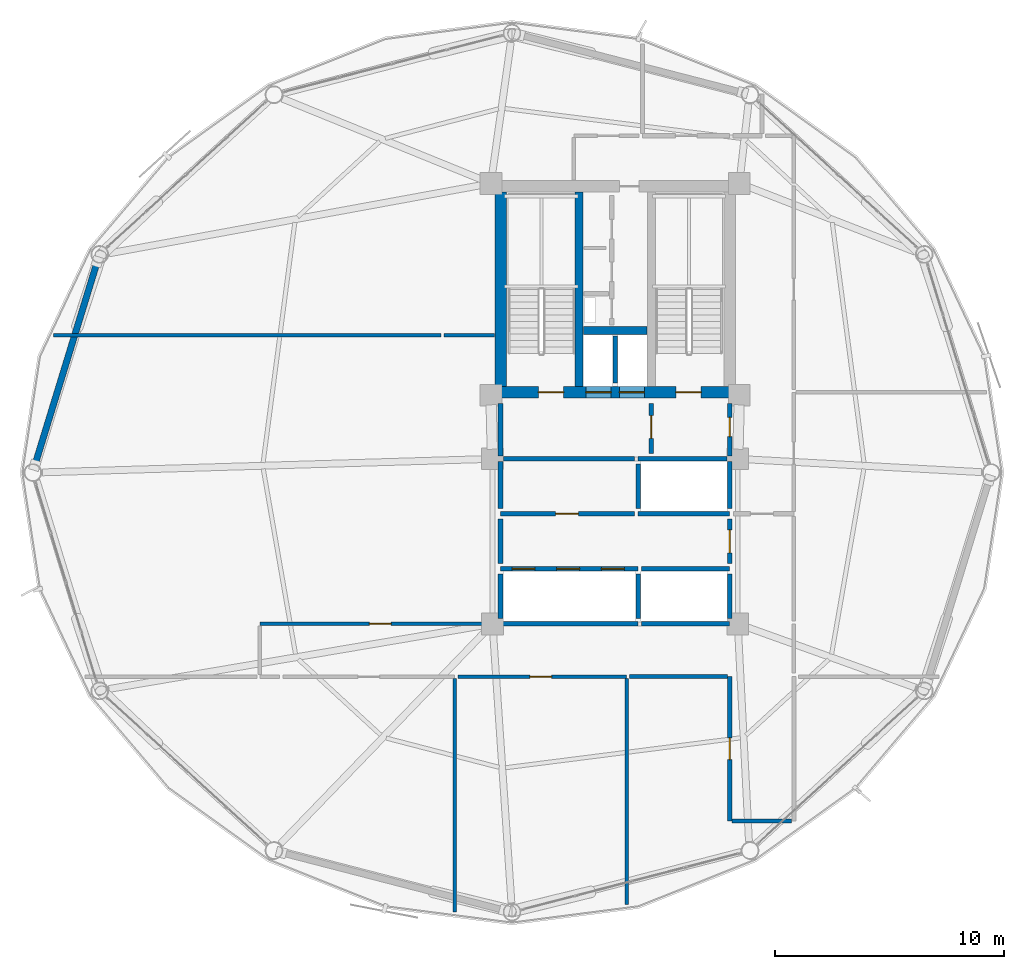
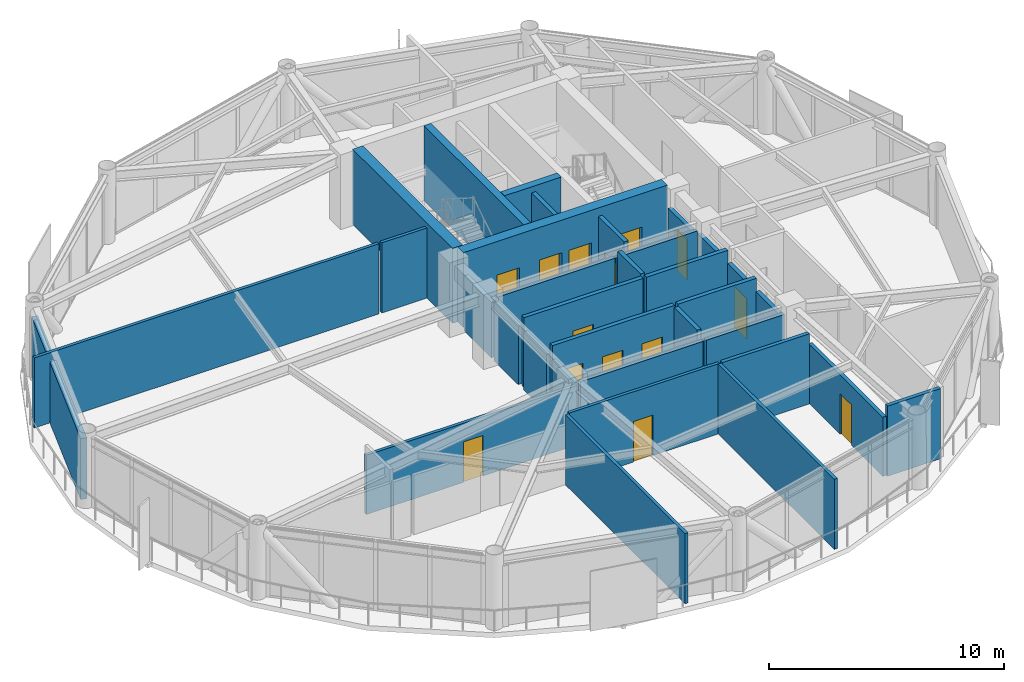
# One storey, part 22 of 27: 34 walls, 14 doors, 14 openings.
"""IFC4 building model written with IfcOpenShell, lengths in metres."""

import ifcopenshell
import ifcopenshell.guid

model = None  # the IFC model being written
_history = None  # IfcOwnerHistory: only IFC2X3 demands one
_inside = {}  # id of a spatial element -> (the spatial element, [elements in it])
_under = {}  # id of a project, library or spatial element -> (it, [spatial elements below it])
_declared = {}  # id of a project -> (the project, [libraries it declares])
_typed = {}  # id of a type object -> (the type object, [elements of that type])
_made_of = {}  # id of a material, layer set ... -> (it, [elements and type objects made of it])


def new_model(schema):
    """Start an empty IFC model of exactly this schema.

    Asked for "IFC4X3", IfcOpenShell would pick the latest addendum, in which some entities
    have other attributes; the version numbers below select the first issue.
    IFC2X3 requires an IfcOwnerHistory on every rooted entity: one is made here for all.
    """
    global model, _history
    if schema == "IFC4X3":
        model = ifcopenshell.file(schema_version=(4, 3, 0, 0))
    else:
        model = ifcopenshell.file(schema=schema)
    _inside.clear()
    _under.clear()
    _declared.clear()
    _typed.clear()
    _made_of.clear()
    _history = None
    if model.schema == "IFC2X3":
        org = make("IfcOrganization", Name="unknown")
        user = make(
            "IfcPersonAndOrganization",
            ThePerson=make("IfcPerson", FamilyName="unknown"),
            TheOrganization=org,
        )
        app = make(
            "IfcApplication",
            ApplicationDeveloper=org,
            Version="unknown",
            ApplicationFullName="unknown",
            ApplicationIdentifier="unknown",
        )
        _history = make(
            "IfcOwnerHistory",
            OwningUser=user,
            OwningApplication=app,
            ChangeAction="ADDED",
            CreationDate=0,
        )
    return model


def make(cls, **values):
    """One entity of the class cls with the attributes given. An attribute that is None is left unset."""
    return model.create_entity(
        cls, **{name: value for name, value in values.items() if value is not None}
    )


def rooted(cls, **values):
    """An entity with a GlobalId (a new one), such as an element, a storey or a relation."""
    return make(cls, GlobalId=ifcopenshell.guid.new(), OwnerHistory=_history, **values)


def si_unit(unit_type, name, prefix=None):
    """IfcSIUnit, for example si_unit("LENGTHUNIT", "METRE", prefix="MILLI")."""
    return make("IfcSIUnit", UnitType=unit_type, Prefix=prefix, Name=name)


def assignment(units):
    """IfcUnitAssignment: the units of a project."""
    return None if units is None else make("IfcUnitAssignment", Units=units)


def point(xyz):
    """IfcCartesianPoint."""
    return None if xyz is None else make("IfcCartesianPoint", Coordinates=xyz)


def direction(xyz):
    """IfcDirection."""
    return None if xyz is None else make("IfcDirection", DirectionRatios=xyz)


def frame(location, z_axis=None, x_axis=None):
    """IfcAxis2Placement3D, a coordinate frame: its origin and axes. An axis left out is left unset."""
    return make(
        "IfcAxis2Placement3D",
        Location=point(location),
        Axis=direction(z_axis),
        RefDirection=direction(x_axis),
    )


def frame_2d(location, x_axis=None):
    """IfcAxis2Placement2D, a coordinate frame in the plane: its origin and x axis."""
    return make(
        "IfcAxis2Placement2D", Location=point(location), RefDirection=direction(x_axis)
    )


def origin():
    """The frame at (0, 0, 0) with its axes left unset."""
    return frame((0.0, 0.0, 0.0))


def place(relative_to, where):
    """IfcLocalPlacement: puts the frame where relative to a parent placement (None: the world)."""
    return make(
        "IfcLocalPlacement", PlacementRelTo=relative_to, RelativePlacement=where
    )


def context(
    kind, dimensions, precision=None, world=None, true_north=None, identifier=None
):
    """IfcGeometricRepresentationContext, for example the 3D "Model" context."""
    return make(
        "IfcGeometricRepresentationContext",
        ContextIdentifier=identifier,
        ContextType=kind,
        CoordinateSpaceDimension=dimensions,
        Precision=precision,
        WorldCoordinateSystem=world,
        TrueNorth=true_north,
    )


def subcontext(parent, identifier, kind, view, scale=None):
    """IfcGeometricRepresentationSubContext, for example "Body" below "Model"."""
    return make(
        "IfcGeometricRepresentationSubContext",
        ContextIdentifier=identifier,
        ContextType=kind,
        ParentContext=parent,
        TargetScale=scale,
        TargetView=view,
    )


def project(units=None, contexts=None):
    """IfcProject with its units and contexts."""
    return rooted(
        "IfcProject",
        Name="project",
        RepresentationContexts=contexts,
        UnitsInContext=assignment(units),
    )


def spatial(cls, under=None, at=None, **own):
    """A site, building, storey or space (cls), placed at a placement, below another one or the project."""
    s = rooted(cls, ObjectPlacement=at, **own)
    if under is not None:
        _under.setdefault(under.id(), (under, []))[1].append(s)
    return s


def profile(cls, at=None, kind="AREA", **sizes):
    """A parametric profile (cls). Its sizes go by their IFC names, for example OverallWidth=200.0."""
    return make(cls, ProfileType=kind, Position=at, **sizes)


def rectangle(**sizes):
    """IfcRectangleProfileDef."""
    return profile("IfcRectangleProfileDef", **sizes)


def extrude(swept, where, along, depth):
    """IfcExtrudedAreaSolid: the profile swept, set in the frame where, extruded along a direction by depth."""
    return make(
        "IfcExtrudedAreaSolid",
        SweptArea=swept,
        Position=where,
        ExtrudedDirection=direction(along),
        Depth=depth,
    )


def shape(context_of_items, identifier, shape_type, items):
    """IfcShapeRepresentation: the items that make up one representation, for example the "Body"."""
    return make(
        "IfcShapeRepresentation",
        ContextOfItems=context_of_items,
        RepresentationIdentifier=identifier,
        RepresentationType=shape_type,
        Items=items,
    )


def material(Name=None, Category=None):
    """IfcMaterial."""
    return make("IfcMaterial", Name=Name, Category=Category)


def layer(
    of_material, thickness, ventilated=None, Name=None, Category=None, Priority=None
):
    """IfcMaterialLayer: one layer of a wall or slab, of a material (None: an air gap)."""
    return make(
        "IfcMaterialLayer",
        Material=of_material,
        LayerThickness=thickness,
        IsVentilated=ventilated,
        Name=Name,
        Category=Category,
        Priority=Priority,
    )


def layer_set(layers, Name=None):
    """IfcMaterialLayerSet."""
    return make("IfcMaterialLayerSet", MaterialLayers=layers, LayerSetName=Name)


def made_of(thing, what):
    """Note that an element or type object is made of a material, layer set ...; save() writes the relation."""
    if what is not None:
        _made_of.setdefault(what.id(), (what, []))[1].append(thing)
    return thing


def type_object(cls, material=None, **own):
    """A type object (cls), such as IfcWallType, which elements share."""
    return made_of(rooted(cls, **own), material)


def element(
    cls,
    number,
    at=None,
    inside=None,
    cuts=None,
    type_object=None,
    material=None,
    context=None,
    identifier="Body",
    shape_type=None,
    held_by="IfcProductDefinitionShape",
    body=None,
    shapes=None,
    **own,
):
    """One element of the class cls, such as IfcWall. Its Tag is "e" and its number.

    at: its placement. inside: the storey or other place that contains it. cuts: it is an
    opening in that element (IfcRelVoidsElement). A single representation is given by context,
    identifier, shape_type and body (its items); several are given by shapes. held_by: the class
    of the entity that holds the representations. save() writes the other relations.
    """
    e = rooted(cls, Tag="e%d" % number, ObjectPlacement=at, **own)
    if body is not None:
        shapes = [shape(context, identifier, shape_type, body)]
    if shapes is not None:
        e.Representation = make(held_by, Representations=shapes)
    if inside is not None:
        _inside.setdefault(inside.id(), (inside, []))[1].append(e)
    if cuts is not None:
        rooted(
            "IfcRelVoidsElement", RelatingBuildingElement=cuts, RelatedOpeningElement=e
        )
    if type_object is not None:
        _typed.setdefault(type_object.id(), (type_object, []))[1].append(e)
    return made_of(e, material)


def fill(opening, filler):
    """IfcRelFillsElement: the door or window that sits in an opening."""
    return rooted(
        "IfcRelFillsElement",
        RelatingOpeningElement=opening,
        RelatedBuildingElement=filler,
    )


def aggregate(whole, parts):
    """IfcRelAggregates: a whole, such as a stair, and the parts it consists of."""
    return rooted("IfcRelAggregates", RelatingObject=whole, RelatedObjects=parts)


def save(model, path):
    """Write the relations noted so far, then the file.

    IfcRelAggregates (storeys below a building ...), IfcRelContainedInSpatialStructure (elements
    in a storey), IfcRelDefinesByType, IfcRelAssociatesMaterial and IfcRelDeclares: one each for
    every whole, place, type object, material and project.
    """
    for whole, parts in _under.values():
        aggregate(whole, parts)
    for where, things in _inside.values():
        rooted(
            "IfcRelContainedInSpatialStructure",
            RelatedElements=things,
            RelatingStructure=where,
        )
    for kind, things in _typed.values():
        rooted("IfcRelDefinesByType", RelatedObjects=things, RelatingType=kind)
    for what, things in _made_of.values():
        rooted("IfcRelAssociatesMaterial", RelatedObjects=things, RelatingMaterial=what)
    for by, libraries in _declared.values():
        rooted("IfcRelDeclares", RelatingContext=by, RelatedDefinitions=libraries)
    model.write(path)


model = new_model("IFC4")

# Units and contexts
model_context = context("Model", 3, precision=1e-05, world=origin(), true_north=direction((0.0, 1.0)))
body_context = subcontext(model_context, "Body", "Model", "MODEL_VIEW")
ifc_project = project(units=[si_unit("LENGTHUNIT", "METRE"), si_unit("AREAUNIT", "SQUARE_METRE"), si_unit("VOLUMEUNIT", "CUBIC_METRE"), si_unit("PLANEANGLEUNIT", "RADIAN"), si_unit("MASSUNIT", "GRAM", prefix="KILO")], contexts=[model_context])

# Site, building, storey
site_placement = place(None, origin())
site = spatial("IfcSite", under=ifc_project, at=site_placement, CompositionType="ELEMENT")
building_placement = place(site_placement, origin())
building = spatial("IfcBuilding", under=site, at=building_placement, Name="Varnakorn Sky Granary", CompositionType="ELEMENT")
storey_placement = place(building_placement, frame((0.0, 0.0, 142.199951171875)))
storey = spatial("IfcBuildingStorey", under=building, at=storey_placement, Name="L35", CompositionType="ELEMENT", Elevation=142.199951171875)

# Walls
ifc_material_1 = material(Name="Concrete C50/60", Category="concrete")
ifc_layer_1 = layer(ifc_material_1, 0.35009765625, Name="Concrete C50/60")
ifc_layer_set_1 = layer_set([ifc_layer_1], Name="Concrete C50/60")
wall_type_1 = type_object("IfcWallType", Name="WT-CW-INT-350", PredefinedType="SHEAR", material=ifc_layer_set_1)
wall_1_placement = place(storey_placement, frame((1.419921875, 3.760009765625, 0.0), z_axis=(0.0, 0.0, 1.0), x_axis=(0.0, 1.0, 0.0)))
element("IfcWall", 1, at=wall_1_placement, inside=storey, type_object=wall_type_1, Name="Stair ST-1 Core Wall L35", PredefinedType="SHEAR", context=body_context, shape_type="SweptSolid", body=[
    extrude(rectangle(XDim=8.47998046875, YDim=0.35009765625, at=frame_2d((4.239990234375, 0.0))), origin(), (0.0, 0.0, 1.0), 3.89208984375),
])
wall_2_placement = place(storey_placement, frame((1.610107421875, 6.199951171875, 0.0), z_axis=(0.0, 0.0, 1.0), x_axis=(1.0, 0.0, 0.0)))
element("IfcWall", 2, at=wall_2_placement, inside=storey, type_object=wall_type_1, Name="Core Lift Shaft Cross Wall L35", PredefinedType="SHEAR", context=body_context, shape_type="SweptSolid", body=[
    extrude(rectangle(XDim=2.77978515625, YDim=0.35009765625, at=frame_2d((1.389892578125, 0.0))), origin(), (0.0, 0.0, 1.0), 3.89208984375),
])

# Wall, openings, doors
ifc_material_2 = material(Name="Concrete C60/75", Category="concrete")
ifc_layer_2 = layer(ifc_material_2, 0.5, Name="Concrete C60/75")
ifc_layer_set_2 = layer_set([ifc_layer_2], Name="Concrete C60/75")
wall_type_2 = type_object("IfcWallType", Name="WT-CW-SHEAR-500", PredefinedType="SHEAR", material=ifc_layer_set_2)
wall_3_placement = place(storey_placement, frame((-2.0, 3.5, 0.0), z_axis=(0.0, 0.0, 1.0), x_axis=(1.0, 0.0, 0.0)))
wall_3 = element("IfcWall", 3, at=wall_3_placement, inside=storey, type_object=wall_type_2, Name="Core South Shear Wall L35", PredefinedType="SHEAR", context=body_context, shape_type="SweptSolid", body=[
    extrude(rectangle(XDim=10.0, YDim=0.5, at=frame_2d((5.0, 0.0))), origin(), (0.0, 0.0, 1.0), 3.89208984375),
])
opening_1_placement = place(wall_3_placement, frame((1.64990234375, 0.0, 0.0)))
opening_1 = element("IfcOpeningElement", 4, at=opening_1_placement, cuts=wall_3, Name="Opening FD-90", PredefinedType="OPENING", context=body_context, shape_type="SweptSolid", body=[
    extrude(rectangle(XDim=1.10009765625, YDim=2.14990234375, at=frame_2d((0.550048828125, 1.074951171875))), frame((0.0, 0.260009765625, 0.0), z_axis=(0.0, -1.0, 0.0), x_axis=(1.0, 0.0, 0.0)), (0.0, 0.0, 1.0), 0.52001953125),
])
opening_2_placement = place(wall_3_placement, frame((7.64990234375, 0.0, 0.0)))
opening_2 = element("IfcOpeningElement", 5, at=opening_2_placement, cuts=wall_3, Name="Opening FD-90", PredefinedType="OPENING", context=body_context, shape_type="SweptSolid", body=[
    extrude(rectangle(XDim=1.10009765625, YDim=2.14990234375, at=frame_2d((0.550048828125, 1.074951171875))), frame((0.0, 0.260009765625, 0.0), z_axis=(0.0, -1.0, 0.0), x_axis=(1.0, 0.0, 0.0)), (0.0, 0.0, 1.0), 0.52001953125),
])
opening_3_placement = place(wall_3_placement, frame((3.719970703125, 0.0, 0.0)))
opening_3 = element("IfcOpeningElement", 6, at=opening_3_placement, cuts=wall_3, Name="Opening LD-01", PredefinedType="OPENING", context=body_context, shape_type="SweptSolid", body=[
    extrude(rectangle(XDim=1.10009765625, YDim=2.199951171875, at=frame_2d((0.550048828125, 1.10009765625))), frame((0.0, 0.260009765625, 0.0), z_axis=(0.0, -1.0, 0.0), x_axis=(1.0, 0.0, 0.0)), (0.0, 0.0, 1.0), 0.52001953125),
])
opening_4_placement = place(wall_3_placement, frame((5.179931640625, 0.0, 0.0)))
opening_4 = element("IfcOpeningElement", 7, at=opening_4_placement, cuts=wall_3, Name="Opening LD-01", PredefinedType="OPENING", context=body_context, shape_type="SweptSolid", body=[
    extrude(rectangle(XDim=1.10009765625, YDim=2.199951171875, at=frame_2d((0.550048828125, 1.10009765625))), frame((0.0, 0.260009765625, 0.0), z_axis=(0.0, -1.0, 0.0), x_axis=(1.0, 0.0, 0.0)), (0.0, 0.0, 1.0), 0.52001953125),
])
ifc_material_3 = material(Name="Brushed Bronze Stainless Steel", Category="steel")
door_type_1 = type_object("IfcDoorType", Name="DR-LD-1100", OperationType="DOUBLE_DOOR_SLIDING", PredefinedType="DOOR", material=ifc_material_3)
door_1_placement = place(opening_3_placement, origin())
door_1 = element("IfcDoor", 8, at=door_1_placement, inside=storey, type_object=door_type_1, Name="Firefighting Lift FFL-1 Landing Door L35", OperationType="DOUBLE_DOOR_SLIDING", OverallHeight=2.199951171875, OverallWidth=1.10009765625, PredefinedType="DOOR", context=body_context, shape_type="SweptSolid", body=[
    extrude(rectangle(XDim=1.10009765625, YDim=2.199951171875, at=frame_2d((0.550048828125, 1.10009765625))), frame((0.0, 0.02490234375, 0.0), z_axis=(0.0, -1.0, 0.0), x_axis=(1.0, 0.0, 0.0)), (0.0, 0.0, 1.0), 0.050048828125),
])
fill(opening_3, door_1)
door_2_placement = place(opening_4_placement, origin())
door_2 = element("IfcDoor", 9, at=door_2_placement, inside=storey, type_object=door_type_1, Name="Firefighting Lift FFL-2 Landing Door L35", OperationType="DOUBLE_DOOR_SLIDING", OverallHeight=2.199951171875, OverallWidth=1.10009765625, PredefinedType="DOOR", context=body_context, shape_type="SweptSolid", body=[
    extrude(rectangle(XDim=1.10009765625, YDim=2.199951171875, at=frame_2d((0.550048828125, 1.10009765625))), frame((0.0, 0.02490234375, 0.0), z_axis=(0.0, -1.0, 0.0), x_axis=(1.0, 0.0, 0.0)), (0.0, 0.0, 1.0), 0.050048828125),
])
fill(opening_4, door_2)
ifc_material_4 = material(Name="Galvanised Painted Steel Leaf", Category="steel")
door_type_2 = type_object("IfcDoorType", Name="DR-STAIR-1100", OperationType="NOTDEFINED", PredefinedType="DOOR", material=ifc_material_4)
door_3_placement = place(opening_1_placement, origin())
door_3 = element("IfcDoor", 10, at=door_3_placement, inside=storey, type_object=door_type_2, Name="Stair ST-1 Protected Fire Door L35", OperationType="SINGLE_SWING_LEFT", OverallHeight=2.14990234375, OverallWidth=1.10009765625, PredefinedType="DOOR", context=body_context, shape_type="SweptSolid", body=[
    extrude(rectangle(XDim=1.10009765625, YDim=2.14990234375, at=frame_2d((0.550048828125, 1.074951171875))), frame((0.0, 0.02490234375, 0.0), z_axis=(0.0, -1.0, 0.0), x_axis=(1.0, 0.0, 0.0)), (0.0, 0.0, 1.0), 0.050048828125),
])
fill(opening_1, door_3)
door_4_placement = place(opening_2_placement, origin())
door_4 = element("IfcDoor", 11, at=door_4_placement, inside=storey, type_object=door_type_2, Name="Stair ST-2 Protected Fire Door L35", OperationType="SINGLE_SWING_RIGHT", OverallHeight=2.14990234375, OverallWidth=1.10009765625, PredefinedType="DOOR", context=body_context, shape_type="SweptSolid", body=[
    extrude(rectangle(XDim=1.10009765625, YDim=2.14990234375, at=frame_2d((0.550048828125, 1.074951171875))), frame((0.0, 0.02490234375, 0.0), z_axis=(0.0, -1.0, 0.0), x_axis=(1.0, 0.0, 0.0)), (0.0, 0.0, 1.0), 0.050048828125),
])
fill(opening_2, door_4)

# Walls
wall_4_placement = place(storey_placement, frame((-2.0, 3.760009765625, 0.0), z_axis=(0.0, 0.0, 1.0), x_axis=(0.0, 1.0, 0.0)))
element("IfcWall", 12, at=wall_4_placement, inside=storey, type_object=wall_type_2, Name="Core West Shear Wall L35", PredefinedType="SHEAR", context=body_context, shape_type="SweptSolid", body=[
    extrude(rectangle(XDim=8.47998046875, YDim=0.5, at=frame_2d((4.239990234375, 0.0))), origin(), (0.0, 0.0, 1.0), 3.89208984375),
])
ifc_material_5 = material(Name="Precast concrete C40/50", Category="concrete")
ifc_layer_3 = layer(ifc_material_5, 0.280029296875, Name="Precast concrete C40/50")
ifc_layer_set_3 = layer_set([ifc_layer_3], Name="Precast concrete C40/50")
wall_type_3 = type_object("IfcWallType", Name="WT-EW-CRN-280", PredefinedType="SOLIDWALL", material=ifc_layer_set_3)
wall_5_placement = place(storey_placement, frame((-22.318603515625, 0.3212890625, 0.0), z_axis=(0.0, 0.0, 1.0), x_axis=(0.293064398185, 0.956092703934, 0.0)))
element("IfcWall", 13, at=wall_5_placement, inside=storey, type_object=wall_type_3, Name="Agritech Insulated Precast Facade Wall L35-P06", PredefinedType="SOLIDWALL", context=body_context, shape_type="SweptSolid", body=[
    extrude(rectangle(XDim=9.28955078125, YDim=0.280029296875, at=frame_2d((4.644775390625, 0.0))), origin(), (0.0, 0.0, 1.0), 3.16015625),
])

# Wall, opening, door
ifc_material_6 = material(Name="Autoclaved Aerated Concrete Blockwork", Category="masonry")
ifc_layer_4 = layer(ifc_material_6, 0.199951171875, Name="Autoclaved Aerated Concrete Blockwork")
ifc_layer_set_4 = layer_set([ifc_layer_4], Name="Autoclaved Aerated Concrete Blockwork")
wall_type_4 = type_object("IfcWallType", Name="WT-FIRE-200", PredefinedType="MOVABLE", material=ifc_layer_set_4)
wall_6_placement = place(storey_placement, frame((4.580078125, 0.830078125, 0.0), z_axis=(0.0, 0.0, 1.0), x_axis=(0.0, 1.0, 0.0)))
wall_6 = element("IfcWall", 14, at=wall_6_placement, inside=storey, type_object=wall_type_4, Name="Interior Partition Wall L35-015", PredefinedType="MOVABLE", context=body_context, shape_type="SweptSolid", body=[
    extrude(rectangle(XDim=2.18994140625, YDim=0.199951171875, at=frame_2d((1.094970703125, 0.0))), origin(), (0.0, 0.0, 1.0), 3.64013671875),
])
opening_5_placement = place(wall_6_placement, frame((0.659912109375, 0.0, 0.0)))
opening_5 = element("IfcOpeningElement", 15, at=opening_5_placement, cuts=wall_6, Name="Opening FD-60", PredefinedType="OPENING", context=body_context, shape_type="SweptSolid", body=[
    extrude(rectangle(XDim=1.0, YDim=2.10009765625, at=frame_2d((0.5, 1.050048828125))), frame((0.0, 0.10986328125, 0.0), z_axis=(0.0, -1.0, 0.0), x_axis=(1.0, 0.0, 0.0)), (0.0, 0.0, 1.0), 0.219970703125),
])
ifc_material_7 = material(Name="Acoustic Timber Fire Leaf", Category="wood")
door_type_3 = type_object("IfcDoorType", Name="DR-FD60-1000", OperationType="NOTDEFINED", PredefinedType="DOOR", material=ifc_material_7)
door_5_placement = place(opening_5_placement, origin())
door_5 = element("IfcDoor", 16, at=door_5_placement, inside=storey, type_object=door_type_3, Name="Interior Door L35-015-1", OperationType="SINGLE_SWING_RIGHT", OverallHeight=2.10009765625, OverallWidth=1.0, PredefinedType="DOOR", context=body_context, shape_type="SweptSolid", body=[
    extrude(rectangle(XDim=1.0, YDim=2.10009765625, at=frame_2d((0.5, 1.050048828125))), frame((0.0, 0.02490234375, 0.0), z_axis=(0.0, -1.0, 0.0), x_axis=(1.0, 0.0, 0.0)), (0.0, 0.0, 1.0), 0.050048828125),
])
fill(opening_5, door_5)

wall_7_placement = place(storey_placement, frame((8.0, 0.719970703125, 0.0), z_axis=(0.0, 0.0, 1.0), x_axis=(0.0, 1.0, 0.0)))
wall_7 = element("IfcWall", 17, at=wall_7_placement, inside=storey, type_object=wall_type_4, Name="Interior Partition Wall L35-016", PredefinedType="MOVABLE", context=body_context, shape_type="SweptSolid", body=[
    extrude(rectangle(XDim=2.300048828125, YDim=0.199951171875, at=frame_2d((1.14990234375, 0.0))), origin(), (0.0, 0.0, 1.0), 2.8720703125),
])
opening_6_placement = place(wall_7_placement, frame((0.844970703125, 0.0, 0.0)))
opening_6 = element("IfcOpeningElement", 18, at=opening_6_placement, cuts=wall_7, Name="Opening FD-60N", PredefinedType="OPENING", context=body_context, shape_type="SweptSolid", body=[
    extrude(rectangle(XDim=0.85009765625, YDim=2.10009765625, at=frame_2d((0.425048828125, 1.050048828125))), frame((0.0, 0.10986328125, 0.0), z_axis=(0.0, -1.0, 0.0), x_axis=(1.0, 0.0, 0.0)), (0.0, 0.0, 1.0), 0.219970703125),
])
door_type_4 = type_object("IfcDoorType", Name="DR-FD60-850", OperationType="NOTDEFINED", PredefinedType="DOOR", material=ifc_material_7)
door_6_placement = place(opening_6_placement, origin())
door_6 = element("IfcDoor", 19, at=door_6_placement, inside=storey, type_object=door_type_4, Name="Interior Door L35-016-1", OperationType="SINGLE_SWING_LEFT", OverallHeight=2.10009765625, OverallWidth=0.85009765625, PredefinedType="DOOR", context=body_context, shape_type="SweptSolid", body=[
    extrude(rectangle(XDim=0.85009765625, YDim=2.10009765625, at=frame_2d((0.425048828125, 1.050048828125))), frame((0.0, 0.02490234375, 0.0), z_axis=(0.0, -1.0, 0.0), x_axis=(1.0, 0.0, 0.0)), (0.0, 0.0, 1.0), 0.050048828125),
])
fill(opening_6, door_6)

wall_8_placement = place(storey_placement, frame((8.0, -3.969970703125, 0.0), z_axis=(0.0, 0.0, 1.0), x_axis=(0.0, 1.0, 0.0)))
wall_8 = element("IfcWall", 20, at=wall_8_placement, inside=storey, type_object=wall_type_4, Name="Interior Partition Wall L35-017", PredefinedType="MOVABLE", context=body_context, shape_type="SweptSolid", body=[
    extrude(rectangle(XDim=1.93994140625, YDim=0.199951171875, at=frame_2d((0.969970703125, 0.0))), origin(), (0.0, 0.0, 1.0), 3.072021484375),
])
opening_7_placement = place(wall_8_placement, frame((0.469970703125, 0.0, 0.0)))
opening_7 = element("IfcOpeningElement", 21, at=opening_7_placement, cuts=wall_8, Name="Opening FD-60", PredefinedType="OPENING", context=body_context, shape_type="SweptSolid", body=[
    extrude(rectangle(XDim=1.0, YDim=2.10009765625, at=frame_2d((0.5, 1.050048828125))), frame((0.0, 0.10986328125, 0.0), z_axis=(0.0, -1.0, 0.0), x_axis=(1.0, 0.0, 0.0)), (0.0, 0.0, 1.0), 0.219970703125),
])
door_7_placement = place(opening_7_placement, origin())
door_7 = element("IfcDoor", 22, at=door_7_placement, inside=storey, type_object=door_type_3, Name="Interior Door L35-017-1", OperationType="SINGLE_SWING_RIGHT", OverallHeight=2.10009765625, OverallWidth=1.0, PredefinedType="DOOR", context=body_context, shape_type="SweptSolid", body=[
    extrude(rectangle(XDim=1.0, YDim=2.10009765625, at=frame_2d((0.5, 1.050048828125))), frame((0.0, 0.02490234375, 0.0), z_axis=(0.0, -1.0, 0.0), x_axis=(1.0, 0.0, 0.0)), (0.0, 0.0, 1.0), 0.050048828125),
])
fill(opening_7, door_7)

wall_9_placement = place(storey_placement, frame((-2.0, -1.800048828125, 0.0), z_axis=(0.0, 0.0, 1.0), x_axis=(1.0, 0.0, 0.0)))
wall_9 = element("IfcWall", 23, at=wall_9_placement, inside=storey, type_object=wall_type_4, Name="Interior Partition Wall L35-018", PredefinedType="MOVABLE", context=body_context, shape_type="SweptSolid", body=[
    extrude(rectangle(XDim=5.840087890625, YDim=0.199951171875, at=frame_2d((2.919921875, 0.0))), origin(), (0.0, 0.0, 1.0), 3.64013671875),
])
opening_8_placement = place(wall_9_placement, frame((2.39990234375, 0.0, 0.0)))
opening_8 = element("IfcOpeningElement", 24, at=opening_8_placement, cuts=wall_9, Name="Opening FD-60", PredefinedType="OPENING", context=body_context, shape_type="SweptSolid", body=[
    extrude(rectangle(XDim=1.0, YDim=2.10009765625, at=frame_2d((0.5, 1.050048828125))), frame((0.0, 0.10986328125, 0.0), z_axis=(0.0, -1.0, 0.0), x_axis=(1.0, 0.0, 0.0)), (0.0, 0.0, 1.0), 0.219970703125),
])
door_8_placement = place(opening_8_placement, origin())
door_8 = element("IfcDoor", 25, at=door_8_placement, inside=storey, type_object=door_type_3, Name="Interior Door L35-018-1", OperationType="SINGLE_SWING_LEFT", OverallHeight=2.10009765625, OverallWidth=1.0, PredefinedType="DOOR", context=body_context, shape_type="SweptSolid", body=[
    extrude(rectangle(XDim=1.0, YDim=2.10009765625, at=frame_2d((0.5, 1.050048828125))), frame((0.0, 0.02490234375, 0.0), z_axis=(0.0, -1.0, 0.0), x_axis=(1.0, 0.0, 0.0)), (0.0, 0.0, 1.0), 0.050048828125),
])
fill(opening_8, door_8)

# Walls
wall_10_placement = place(storey_placement, frame((-1.8798828125, 0.60009765625, 0.0), z_axis=(0.0, 0.0, 1.0), x_axis=(1.0, 0.0, 0.0)))
element("IfcWall", 26, at=wall_10_placement, inside=storey, type_object=wall_type_4, Name="Interior Partition Wall L35-029", PredefinedType="MOVABLE", context=body_context, shape_type="SweptSolid", body=[
    extrude(rectangle(XDim=5.719970703125, YDim=0.199951171875, at=frame_2d((2.85986328125, 0.0))), origin(), (0.0, 0.0, 1.0), 3.22216796875),
])
wall_11_placement = place(storey_placement, frame((-2.0, 0.719970703125, 0.0), z_axis=(0.0, 0.0, 1.0), x_axis=(0.0, 1.0, 0.0)))
element("IfcWall", 27, at=wall_11_placement, inside=storey, type_object=wall_type_4, Name="Interior Partition Wall L35-030", PredefinedType="MOVABLE", context=body_context, shape_type="SweptSolid", body=[
    extrude(rectangle(XDim=2.300048828125, YDim=0.199951171875, at=frame_2d((1.14990234375, 0.0))), origin(), (0.0, 0.0, 1.0), 2.8720703125),
])
wall_12_placement = place(storey_placement, frame((-2.0, -3.969970703125, 0.0), z_axis=(0.0, 0.0, 1.0), x_axis=(0.0, 1.0, 0.0)))
element("IfcWall", 28, at=wall_12_placement, inside=storey, type_object=wall_type_4, Name="Interior Partition Wall L35-031", PredefinedType="MOVABLE", context=body_context, shape_type="SweptSolid", body=[
    extrude(rectangle(XDim=1.93994140625, YDim=0.199951171875, at=frame_2d((0.969970703125, 0.0))), origin(), (0.0, 0.0, 1.0), 3.02197265625),
])
wall_13_placement = place(storey_placement, frame((-2.0, -1.570068359375, 0.0), z_axis=(0.0, 0.0, 1.0), x_axis=(0.0, 1.0, 0.0)))
element("IfcWall", 29, at=wall_13_placement, inside=storey, type_object=wall_type_4, Name="Interior Partition Wall L35-032", PredefinedType="MOVABLE", context=body_context, shape_type="SweptSolid", body=[
    extrude(rectangle(XDim=2.050048828125, YDim=0.199951171875, at=frame_2d((1.02490234375, 0.0))), origin(), (0.0, 0.0, 1.0), 3.02197265625),
])

# Wall, opening, door
ifc_material_8 = material(Name="Gypsum Plasterboard on Steel Stud", Category="steel")
ifc_layer_5 = layer(ifc_material_8, 0.14990234375, Name="Gypsum Plasterboard on Steel Stud")
ifc_layer_set_5 = layer_set([ifc_layer_5], Name="Gypsum Plasterboard on Steel Stud")
wall_type_5 = type_object("IfcWallType", Name="WT-PART-150", PredefinedType="PARTITIONING", material=ifc_layer_set_5)
wall_14_placement = place(storey_placement, frame((-3.864990234375, -8.89990234375, 0.0), z_axis=(0.0, 0.0, 1.0), x_axis=(1.0, 0.0, 0.0)))
wall_14 = element("IfcWall", 30, at=wall_14_placement, inside=storey, type_object=wall_type_5, Name="Interior Partition Wall L35-022", PredefinedType="PARTITIONING", context=body_context, shape_type="SweptSolid", body=[
    extrude(rectangle(XDim=7.364990234375, YDim=0.14990234375, at=frame_2d((3.6826171875, 0.0))), origin(), (0.0, 0.0, 1.0), 3.64013671875),
])
opening_9_placement = place(wall_14_placement, frame((3.139892578125, 0.0, 0.0)))
opening_9 = element("IfcOpeningElement", 31, at=opening_9_placement, cuts=wall_14, Name="Opening ID-95", PredefinedType="OPENING", context=body_context, shape_type="SweptSolid", body=[
    extrude(rectangle(XDim=0.949951171875, YDim=2.10009765625, at=frame_2d((0.47509765625, 1.050048828125))), frame((0.0, 0.0849609375, 0.0), z_axis=(0.0, -1.0, 0.0), x_axis=(1.0, 0.0, 0.0)), (0.0, 0.0, 1.0), 0.169921875),
])
ifc_material_9 = material(Name="Solid-Core Teak Veneer Leaf", Category="timber")
door_type_5 = type_object("IfcDoorType", Name="DR-INT-950", OperationType="NOTDEFINED", PredefinedType="DOOR", material=ifc_material_9)
door_9_placement = place(opening_9_placement, origin())
door_9 = element("IfcDoor", 32, at=door_9_placement, inside=storey, type_object=door_type_5, Name="Interior Door L35-022-1", OperationType="SINGLE_SWING_LEFT", OverallHeight=2.10009765625, OverallWidth=0.949951171875, PredefinedType="DOOR", context=body_context, shape_type="SweptSolid", body=[
    extrude(rectangle(XDim=0.949951171875, YDim=2.10009765625, at=frame_2d((0.47509765625, 1.050048828125))), frame((0.0, 0.02490234375, 0.0), z_axis=(0.0, -1.0, 0.0), x_axis=(1.0, 0.0, 0.0)), (0.0, 0.0, 1.0), 0.050048828125),
])
fill(opening_9, door_9)

wall_15_placement = place(storey_placement, frame((-2.159912109375, -6.60009765625, 0.0), z_axis=(0.0, 0.0, 1.0), x_axis=(-1.0, 0.0, 0.0)))
wall_15 = element("IfcWall", 33, at=wall_15_placement, inside=storey, type_object=wall_type_5, Name="Interior Partition Wall L35-024", PredefinedType="PARTITIONING", context=body_context, shape_type="SweptSolid", body=[
    extrude(rectangle(XDim=10.340087890625, YDim=0.14990234375, at=frame_2d((5.169921875, 0.0))), origin(), (0.0, 0.0, 1.0), 3.072021484375),
])
opening_10_placement = place(wall_15_placement, frame((4.614990234375, 0.0, 0.0)))
opening_10 = element("IfcOpeningElement", 34, at=opening_10_placement, cuts=wall_15, Name="Opening ID-95", PredefinedType="OPENING", context=body_context, shape_type="SweptSolid", body=[
    extrude(rectangle(XDim=0.949951171875, YDim=2.10009765625, at=frame_2d((0.47509765625, 1.050048828125))), frame((0.0, 0.0849609375, 0.0), z_axis=(0.0, -1.0, 0.0), x_axis=(1.0, 0.0, 0.0)), (0.0, 0.0, 1.0), 0.169921875),
])
door_10_placement = place(opening_10_placement, origin())
door_10 = element("IfcDoor", 35, at=door_10_placement, inside=storey, type_object=door_type_5, Name="Interior Door L35-024-1", OperationType="SINGLE_SWING_LEFT", OverallHeight=2.10009765625, OverallWidth=0.949951171875, PredefinedType="DOOR", context=body_context, shape_type="SweptSolid", body=[
    extrude(rectangle(XDim=0.949951171875, YDim=2.10009765625, at=frame_2d((0.47509765625, 1.050048828125))), frame((0.0, 0.02490234375, 0.0), z_axis=(0.0, -1.0, 0.0), x_axis=(1.0, 0.0, 0.0)), (0.0, 0.0, 1.0), 0.050048828125),
])
fill(opening_10, door_10)

# Walls
wall_16_placement = place(storey_placement, frame((-4.0, -8.985107421875, 0.0), z_axis=(0.0, 0.0, 1.0), x_axis=(0.0, -1.0, 0.0)))
element("IfcWall", 36, at=wall_16_placement, inside=storey, type_object=wall_type_5, Name="Interior Partition Wall L35-035", PredefinedType="PARTITIONING", context=body_context, shape_type="SweptSolid", body=[
    extrude(rectangle(XDim=10.184814453125, YDim=0.14990234375, at=frame_2d((5.09228515625, 0.0))), origin(), (0.0, 0.0, 1.0), 3.64013671875),
])
wall_17_placement = place(storey_placement, frame((3.5, -8.985107421875, 0.0), z_axis=(0.0, 0.0, 1.0), x_axis=(0.0, -1.0, 0.0)))
element("IfcWall", 37, at=wall_17_placement, inside=storey, type_object=wall_type_5, Name="Interior Partition Wall L35-037", PredefinedType="PARTITIONING", context=body_context, shape_type="SweptSolid", body=[
    extrude(rectangle(XDim=9.86279296875, YDim=0.14990234375, at=frame_2d((4.931396484375, 0.0))), origin(), (0.0, 0.0, 1.0), 3.64013671875),
])
wall_18_placement = place(storey_placement, frame((-21.50390625, 6.0, 0.0), z_axis=(0.0, 0.0, 1.0), x_axis=(1.0, 0.0, 0.0)))
element("IfcWall", 38, at=wall_18_placement, inside=storey, type_object=wall_type_5, Name="Interior Partition Wall L35-043", PredefinedType="PARTITIONING", context=body_context, shape_type="SweptSolid", body=[
    extrude(rectangle(XDim=16.90380859375, YDim=0.14990234375, at=frame_2d((8.451904296875, 0.0))), origin(), (0.0, 0.0, 1.0), 3.64013671875),
])
wall_19_placement = place(storey_placement, frame((-4.465087890625, 6.0, 0.0), z_axis=(0.0, 0.0, 1.0), x_axis=(1.0, 0.0, 0.0)))
element("IfcWall", 39, at=wall_19_placement, inside=storey, type_object=wall_type_5, Name="Interior Partition Wall L35-044", PredefinedType="PARTITIONING", context=body_context, shape_type="SweptSolid", body=[
    extrude(rectangle(XDim=2.205078125, YDim=0.14990234375, at=frame_2d((1.1025390625, 0.0))), origin(), (0.0, 0.0, 1.0), 3.64013671875),
])

# Wall, opening, door
ifc_material_10 = material(Name="Moisture-Resistant Gypsum on Stud", Category="gypsum")
ifc_layer_6 = layer(ifc_material_10, 0.179931640625, Name="Moisture-Resistant Gypsum on Stud")
ifc_layer_set_6 = layer_set([ifc_layer_6], Name="Moisture-Resistant Gypsum on Stud")
wall_type_6 = type_object("IfcWallType", Name="WT-PLUMB-180", PredefinedType="PLUMBINGWALL", material=ifc_layer_set_6)
wall_20_placement = place(storey_placement, frame((8.0, -8.89990234375, 0.0), z_axis=(0.0, 0.0, 1.0), x_axis=(0.0, -1.0, 0.0)))
wall_20 = element("IfcWall", 40, at=wall_20_placement, inside=storey, type_object=wall_type_6, Name="Interior Partition Wall L35-023", PredefinedType="PLUMBINGWALL", context=body_context, shape_type="SweptSolid", body=[
    extrude(rectangle(XDim=6.300048828125, YDim=0.179931640625, at=frame_2d((3.14990234375, 0.0))), origin(), (0.0, 0.0, 1.0), 3.072021484375),
])
opening_11_placement = place(wall_20_placement, frame((2.675048828125, 0.0, 0.0)))
opening_11 = element("IfcOpeningElement", 41, at=opening_11_placement, cuts=wall_20, Name="Opening ID-95", PredefinedType="OPENING", context=body_context, shape_type="SweptSolid", body=[
    extrude(rectangle(XDim=0.949951171875, YDim=2.10009765625, at=frame_2d((0.47509765625, 1.050048828125))), frame((0.0, 0.10009765625, 0.0), z_axis=(0.0, -1.0, 0.0), x_axis=(1.0, 0.0, 0.0)), (0.0, 0.0, 1.0), 0.199951171875),
])
door_11_placement = place(opening_11_placement, origin())
door_11 = element("IfcDoor", 42, at=door_11_placement, inside=storey, type_object=door_type_5, Name="Interior Door L35-023-1", OperationType="SINGLE_SWING_RIGHT", OverallHeight=2.10009765625, OverallWidth=0.949951171875, PredefinedType="DOOR", context=body_context, shape_type="SweptSolid", body=[
    extrude(rectangle(XDim=0.949951171875, YDim=2.10009765625, at=frame_2d((0.47509765625, 1.050048828125))), frame((0.0, 0.02490234375, 0.0), z_axis=(0.0, -1.0, 0.0), x_axis=(1.0, 0.0, 0.0)), (0.0, 0.0, 1.0), 0.050048828125),
])
fill(opening_11, door_11)

# Walls
wall_21_placement = place(storey_placement, frame((3.635009765625, -8.89990234375, 0.0), z_axis=(0.0, 0.0, 1.0), x_axis=(1.0, 0.0, 0.0)))
element("IfcWall", 43, at=wall_21_placement, inside=storey, type_object=wall_type_6, Name="Interior Partition Wall L35-039", PredefinedType="PLUMBINGWALL", context=body_context, shape_type="SweptSolid", body=[
    extrude(rectangle(XDim=4.264892578125, YDim=0.179931640625, at=frame_2d((2.13232421875, 0.0))), origin(), (0.0, 0.0, 1.0), 3.64013671875),
])
wall_22_placement = place(storey_placement, frame((8.10009765625, -15.199951171875, 0.0), z_axis=(0.0, 0.0, 1.0), x_axis=(1.0, 0.0, 0.0)))
element("IfcWall", 44, at=wall_22_placement, inside=storey, type_object=wall_type_6, Name="Interior Partition Wall L35-040", PredefinedType="PLUMBINGWALL", context=body_context, shape_type="SweptSolid", body=[
    extrude(rectangle(XDim=2.599853515625, YDim=0.179931640625, at=frame_2d((1.2998046875, 0.0))), origin(), (0.0, 0.0, 1.0), 3.64013671875),
])
ifc_layer_7 = layer(ifc_material_6, 0.199951171875, Name="Autoclaved Aerated Concrete Blockwork")
ifc_layer_set_7 = layer_set([ifc_layer_7], Name="Autoclaved Aerated Concrete Blockwork")
wall_type_7 = type_object("IfcWallType", Name="WT-SHAFT-200", PredefinedType="SOLIDWALL", material=ifc_layer_set_7)
wall_23_placement = place(storey_placement, frame((3.0, 3.919921875, 0.0), z_axis=(0.0, 0.0, 1.0), x_axis=(0.0, 1.0, 0.0)))
element("IfcWall", 45, at=wall_23_placement, inside=storey, type_object=wall_type_7, Name="Interior Partition Wall L35-001", PredefinedType="SOLIDWALL", context=body_context, shape_type="SweptSolid", body=[
    extrude(rectangle(XDim=2.030029296875, YDim=0.199951171875, at=frame_2d((1.01513671875, 0.0))), origin(), (0.0, 0.0, 1.0), 3.64013671875),
])
wall_24_placement = place(storey_placement, frame((4.0, 0.60009765625, 0.0), z_axis=(0.0, 0.0, 1.0), x_axis=(1.0, 0.0, 0.0)))
element("IfcWall", 46, at=wall_24_placement, inside=storey, type_object=wall_type_7, Name="Interior Partition Wall L35-003", PredefinedType="SOLIDWALL", context=body_context, shape_type="SweptSolid", body=[
    extrude(rectangle(XDim=3.8798828125, YDim=0.199951171875, at=frame_2d((1.93994140625, 0.0))), origin(), (0.0, 0.0, 1.0), 3.22216796875),
])
wall_25_placement = place(storey_placement, frame((4.0, -1.800048828125, 0.0), z_axis=(0.0, 0.0, 1.0), x_axis=(1.0, 0.0, 0.0)))
element("IfcWall", 47, at=wall_25_placement, inside=storey, type_object=wall_type_7, Name="Interior Partition Wall L35-004", PredefinedType="SOLIDWALL", context=body_context, shape_type="SweptSolid", body=[
    extrude(rectangle(XDim=4.0, YDim=0.199951171875, at=frame_2d((2.0, 0.0))), origin(), (0.0, 0.0, 1.0), 3.64013671875),
])
wall_26_placement = place(storey_placement, frame((4.0, -1.570068359375, 0.0), z_axis=(0.0, 0.0, 1.0), x_axis=(0.0, 1.0, 0.0)))
element("IfcWall", 48, at=wall_26_placement, inside=storey, type_object=wall_type_7, Name="Interior Partition Wall L35-005", PredefinedType="SOLIDWALL", context=body_context, shape_type="SweptSolid", body=[
    extrude(rectangle(XDim=1.940185546875, YDim=0.199951171875, at=frame_2d((0.97021484375, 0.0))), origin(), (0.0, 0.0, 1.0), 3.64013671875),
])
wall_27_placement = place(storey_placement, frame((8.0, -1.570068359375, 0.0), z_axis=(0.0, 0.0, 1.0), x_axis=(0.0, 1.0, 0.0)))
element("IfcWall", 49, at=wall_27_placement, inside=storey, type_object=wall_type_7, Name="Interior Partition Wall L35-006", PredefinedType="SOLIDWALL", context=body_context, shape_type="SweptSolid", body=[
    extrude(rectangle(XDim=2.050048828125, YDim=0.199951171875, at=frame_2d((1.02490234375, 0.0))), origin(), (0.0, 0.0, 1.0), 3.072021484375),
])

# Wall, openings, doors
wall_28_placement = place(storey_placement, frame((-2.0, -4.199951171875, 0.0), z_axis=(0.0, 0.0, 1.0), x_axis=(1.0, 0.0, 0.0)))
wall_28 = element("IfcWall", 50, at=wall_28_placement, inside=storey, type_object=wall_type_7, Name="Interior Partition Wall L35-007", PredefinedType="SOLIDWALL", context=body_context, shape_type="SweptSolid", body=[
    extrude(rectangle(XDim=6.0, YDim=0.199951171875, at=frame_2d((3.0, 0.0))), origin(), (0.0, 0.0, 1.0), 3.64013671875),
])
opening_12_placement = place(wall_28_placement, frame((0.5, 0.0, 0.0)))
opening_12 = element("IfcOpeningElement", 51, at=opening_12_placement, cuts=wall_28, Name="Opening LD-03", PredefinedType="OPENING", context=body_context, shape_type="SweptSolid", body=[
    extrude(rectangle(XDim=1.0, YDim=2.199951171875, at=frame_2d((0.5, 1.10009765625))), frame((0.0, 0.10986328125, 0.0), z_axis=(0.0, -1.0, 0.0), x_axis=(1.0, 0.0, 0.0)), (0.0, 0.0, 1.0), 0.219970703125),
])
opening_13_placement = place(wall_28_placement, frame((2.449951171875, 0.0, 0.0)))
opening_13 = element("IfcOpeningElement", 52, at=opening_13_placement, cuts=wall_28, Name="Opening LD-03", PredefinedType="OPENING", context=body_context, shape_type="SweptSolid", body=[
    extrude(rectangle(XDim=1.0, YDim=2.199951171875, at=frame_2d((0.5, 1.10009765625))), frame((0.0, 0.10986328125, 0.0), z_axis=(0.0, -1.0, 0.0), x_axis=(1.0, 0.0, 0.0)), (0.0, 0.0, 1.0), 0.219970703125),
])
opening_14_placement = place(wall_28_placement, frame((4.39990234375, 0.0, 0.0)))
opening_14 = element("IfcOpeningElement", 53, at=opening_14_placement, cuts=wall_28, Name="Opening LD-03", PredefinedType="OPENING", context=body_context, shape_type="SweptSolid", body=[
    extrude(rectangle(XDim=1.0, YDim=2.199951171875, at=frame_2d((0.5, 1.10009765625))), frame((0.0, 0.10986328125, 0.0), z_axis=(0.0, -1.0, 0.0), x_axis=(1.0, 0.0, 0.0)), (0.0, 0.0, 1.0), 0.219970703125),
])
door_type_6 = type_object("IfcDoorType", Name="DR-LD-1000", OperationType="DOUBLE_DOOR_SLIDING", PredefinedType="DOOR", material=ifc_material_3)
door_12_placement = place(opening_12_placement, origin())
door_12 = element("IfcDoor", 54, at=door_12_placement, inside=storey, type_object=door_type_6, Name="Passenger Lift PL-M1 Sliding Landing Door L35", OperationType="DOUBLE_DOOR_SLIDING", OverallHeight=2.199951171875, OverallWidth=1.0, PredefinedType="DOOR", context=body_context, shape_type="SweptSolid", body=[
    extrude(rectangle(XDim=1.0, YDim=2.199951171875, at=frame_2d((0.5, 1.10009765625))), frame((0.0, 0.02490234375, 0.0), z_axis=(0.0, -1.0, 0.0), x_axis=(1.0, 0.0, 0.0)), (0.0, 0.0, 1.0), 0.050048828125),
])
fill(opening_12, door_12)
door_13_placement = place(opening_13_placement, origin())
door_13 = element("IfcDoor", 55, at=door_13_placement, inside=storey, type_object=door_type_6, Name="Passenger Lift PL-M2 Sliding Landing Door L35", OperationType="DOUBLE_DOOR_SLIDING", OverallHeight=2.199951171875, OverallWidth=1.0, PredefinedType="DOOR", context=body_context, shape_type="SweptSolid", body=[
    extrude(rectangle(XDim=1.0, YDim=2.199951171875, at=frame_2d((0.5, 1.10009765625))), frame((0.0, 0.02490234375, 0.0), z_axis=(0.0, -1.0, 0.0), x_axis=(1.0, 0.0, 0.0)), (0.0, 0.0, 1.0), 0.050048828125),
])
fill(opening_13, door_13)
door_14_placement = place(opening_14_placement, origin())
door_14 = element("IfcDoor", 56, at=door_14_placement, inside=storey, type_object=door_type_6, Name="Passenger Lift PL-M3 Sliding Landing Door L35", OperationType="DOUBLE_DOOR_SLIDING", OverallHeight=2.199951171875, OverallWidth=1.0, PredefinedType="DOOR", context=body_context, shape_type="SweptSolid", body=[
    extrude(rectangle(XDim=1.0, YDim=2.199951171875, at=frame_2d((0.5, 1.10009765625))), frame((0.0, 0.02490234375, 0.0), z_axis=(0.0, -1.0, 0.0), x_axis=(1.0, 0.0, 0.0)), (0.0, 0.0, 1.0), 0.050048828125),
])
fill(opening_14, door_14)

# Walls
wall_29_placement = place(storey_placement, frame((-2.0, -6.60009765625, 0.0), z_axis=(0.0, 0.0, 1.0), x_axis=(1.0, 0.0, 0.0)))
element("IfcWall", 57, at=wall_29_placement, inside=storey, type_object=wall_type_7, Name="Interior Partition Wall L35-008", PredefinedType="SOLIDWALL", context=body_context, shape_type="SweptSolid", body=[
    extrude(rectangle(XDim=6.0, YDim=0.199951171875, at=frame_2d((3.0, 0.0))), origin(), (0.0, 0.0, 1.0), 3.22216796875),
])
wall_30_placement = place(storey_placement, frame((-2.0, -6.3701171875, 0.0), z_axis=(0.0, 0.0, 1.0), x_axis=(0.0, 1.0, 0.0)))
element("IfcWall", 58, at=wall_30_placement, inside=storey, type_object=wall_type_7, Name="Interior Partition Wall L35-009", PredefinedType="SOLIDWALL", context=body_context, shape_type="SweptSolid", body=[
    extrude(rectangle(XDim=1.940185546875, YDim=0.199951171875, at=frame_2d((0.97021484375, 0.0))), origin(), (0.0, 0.0, 1.0), 3.02197265625),
])
wall_31_placement = place(storey_placement, frame((4.159912109375, -4.199951171875, 0.0), z_axis=(0.0, 0.0, 1.0), x_axis=(1.0, 0.0, 0.0)))
element("IfcWall", 59, at=wall_31_placement, inside=storey, type_object=wall_type_7, Name="Interior Partition Wall L35-010", PredefinedType="SOLIDWALL", context=body_context, shape_type="SweptSolid", body=[
    extrude(rectangle(XDim=3.840087890625, YDim=0.199951171875, at=frame_2d((1.919921875, 0.0))), origin(), (0.0, 0.0, 1.0), 3.64013671875),
])
wall_32_placement = place(storey_placement, frame((4.159912109375, -6.60009765625, 0.0), z_axis=(0.0, 0.0, 1.0), x_axis=(1.0, 0.0, 0.0)))
element("IfcWall", 60, at=wall_32_placement, inside=storey, type_object=wall_type_7, Name="Interior Partition Wall L35-011", PredefinedType="SOLIDWALL", context=body_context, shape_type="SweptSolid", body=[
    extrude(rectangle(XDim=3.840087890625, YDim=0.199951171875, at=frame_2d((1.919921875, 0.0))), origin(), (0.0, 0.0, 1.0), 3.22216796875),
])
wall_33_placement = place(storey_placement, frame((4.0, -6.3701171875, 0.0), z_axis=(0.0, 0.0, 1.0), x_axis=(0.0, 1.0, 0.0)))
element("IfcWall", 61, at=wall_33_placement, inside=storey, type_object=wall_type_7, Name="Interior Partition Wall L35-012", PredefinedType="SOLIDWALL", context=body_context, shape_type="SweptSolid", body=[
    extrude(rectangle(XDim=1.940185546875, YDim=0.199951171875, at=frame_2d((0.97021484375, 0.0))), origin(), (0.0, 0.0, 1.0), 3.64013671875),
])
wall_34_placement = place(storey_placement, frame((8.0, -6.3701171875, 0.0), z_axis=(0.0, 0.0, 1.0), x_axis=(0.0, 1.0, 0.0)))
element("IfcWall", 62, at=wall_34_placement, inside=storey, type_object=wall_type_7, Name="Interior Partition Wall L35-013", PredefinedType="SOLIDWALL", context=body_context, shape_type="SweptSolid", body=[
    extrude(rectangle(XDim=1.940185546875, YDim=0.199951171875, at=frame_2d((0.97021484375, 0.0))), origin(), (0.0, 0.0, 1.0), 3.072021484375),
])

save(model, "model.ifc")
